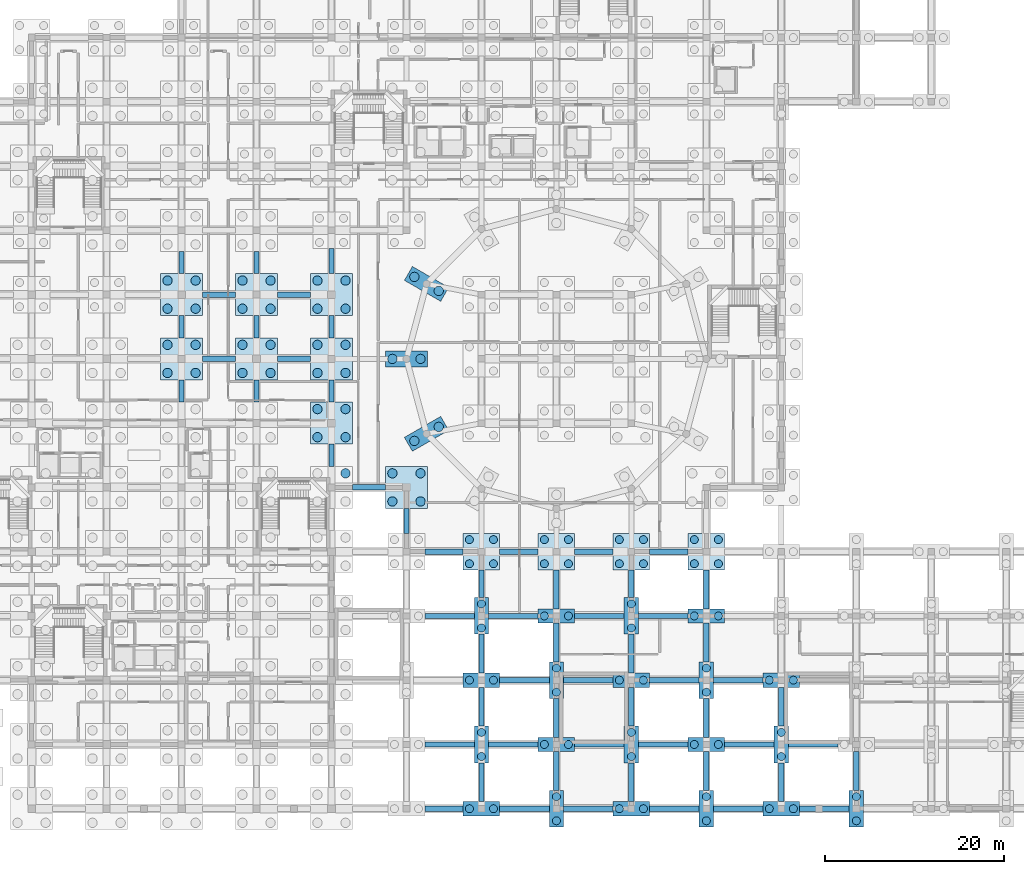
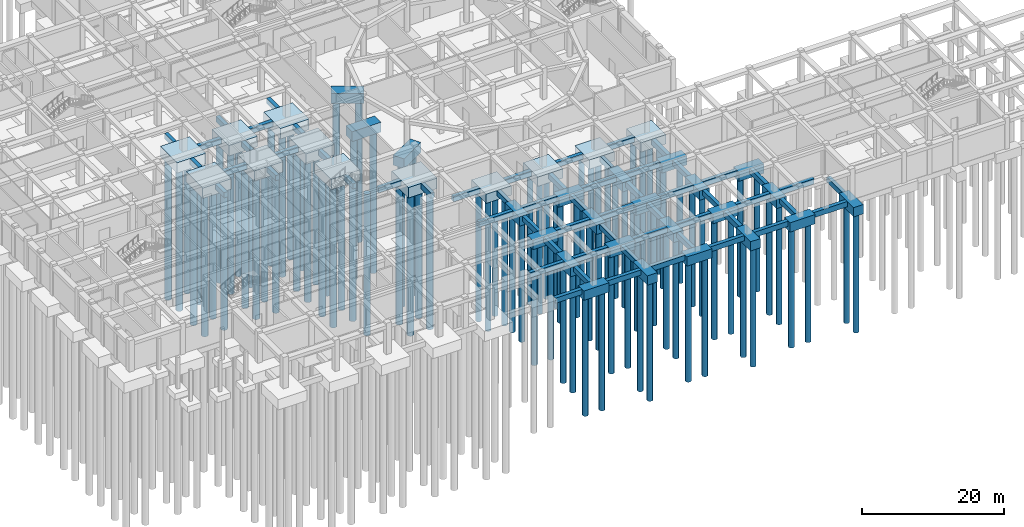
# One storey, part 3 of 32: 95 piles, 94 footings.
"""IFC4 building model written with IfcOpenShell, lengths in metres."""

from ifc_helpers import new_model, si_unit, derived_unit, direction, frame, origin, origin_2d, place, context, subcontext, project, spatial, rectangle, circle, extrude, material, material_profile, profile_set, type_object, element, save


model = new_model("IFC4")

# Units and contexts
model_context = context("Model", 3, precision=1e-05, world=origin(), true_north=direction((0.0, 1.0)))
body_context = subcontext(model_context, "Body", "Model", "MODEL_VIEW")
ifc_project = project(units=[si_unit("LENGTHUNIT", "METRE"), si_unit("AREAUNIT", "SQUARE_METRE"), si_unit("VOLUMEUNIT", "CUBIC_METRE"), si_unit("PLANEANGLEUNIT", "RADIAN"), si_unit("MASSUNIT", "GRAM", prefix="KILO"), derived_unit("THERMALTRANSMITTANCEUNIT", [(si_unit("POWERUNIT", "WATT"), 1), (si_unit("LENGTHUNIT", "METRE"), -2), (si_unit("THERMODYNAMICTEMPERATUREUNIT", "KELVIN"), -1)])], contexts=[model_context])

# Site, building, storey
site_placement = place(None, origin())
site = spatial("IfcSite", under=ifc_project, at=site_placement, CompositionType="ELEMENT")
building_placement = place(site_placement, origin())
building = spatial("IfcBuilding", under=site, at=building_placement, Name="Veybourne Emporium", CompositionType="ELEMENT")
storey_placement = place(building_placement, frame((0.0, 0.0, -5.39990234375)))
storey = spatial("IfcBuildingStorey", under=building, at=storey_placement, Name="B1", CompositionType="ELEMENT", Elevation=-5.39990234375)

# Footings
ifc_material = material(Name="Concrete C35/45", Category="concrete")
footing_type_1 = type_object("IfcFootingType", Name="GroundBeam_GB-2500", PredefinedType="FOOTING_BEAM", material=ifc_material)
for number, where, z_axis, x_axis, name in (
    (1, (33.60009765625, 46.800048828125, -0.900146484375), (0.0, 0.0, 1.0), (0.0, 1.0, 0.0), "Ground tie beam GB-2500"),
    (2, (33.60009765625, 54.0, -0.900146484375), (0.0, 0.0, 1.0), (0.0, 1.0, 0.0), "Ground tie beam GB-2500"),
    (3, (33.60009765625, 61.199951171875, -0.900146484375), (0.0, 0.0, 1.0), (0.0, 1.0, 0.0), "Ground tie beam GB-2500"),
    (4, (42.0, 46.800048828125, -0.900146484375), (0.0, 0.0, 1.0), (0.0, 1.0, 0.0), "Ground tie beam GB-2500"),
    (5, (42.0, 54.0, -0.900146484375), (0.0, 0.0, 1.0), (0.0, 1.0, 0.0), "Ground tie beam GB-2500"),
    (6, (42.0, 61.199951171875, -0.900146484375), (0.0, 0.0, 1.0), (0.0, 1.0, 0.0), "Ground tie beam GB-2500"),
    (7, (50.39990234375, 39.60009765625, -0.900146484375), (0.0, 0.0, 1.0), (0.0, 1.0, 0.0), "Ground tie beam GB-2500"),
    (8, (50.39990234375, 46.800048828125, -0.900146484375), (0.0, 0.0, 1.0), (0.0, 1.0, 0.0), "Ground tie beam GB-2500"),
    (9, (50.39990234375, 54.0, -0.900146484375), (0.0, 0.0, 1.0), (0.0, 1.0, 0.0), "Ground tie beam GB-2500"),
):
    element("IfcFooting", number, at=place(storey_placement, frame(where, z_axis=z_axis, x_axis=x_axis)), inside=storey, type_object=footing_type_1, Name=name, PredefinedType="FOOTING_BEAM", context=body_context, shape_type="SweptSolid", body=[
        extrude(rectangle(XDim=2.5, YDim=0.60009765625, at=origin_2d()), origin(), (0.0, 0.0, 1.0), 0.89990234375),
    ])
footing_type_2 = type_object("IfcFootingType", Name="GroundBeam_GB-2800", PredefinedType="FOOTING_BEAM", material=ifc_material)
for number, where, z_axis, x_axis, name in (
    (10, (50.39990234375, 61.35009765625, -0.900146484375), (0.0, 0.0, 1.0), (0.0, 1.0, 0.0), "Ground tie beam GB-2800"),
    (11, (58.800048828125, 32.25, -0.900146484375), (0.0, 0.0, 1.0), (0.0, 1.0, 0.0), "Ground tie beam GB-2800"),
):
    element("IfcFooting", number, at=place(storey_placement, frame(where, z_axis=z_axis, x_axis=x_axis)), inside=storey, type_object=footing_type_2, Name=name, PredefinedType="FOOTING_BEAM", context=body_context, shape_type="SweptSolid", body=[
        extrude(rectangle(XDim=2.800048828125, YDim=0.60009765625, at=origin_2d()), origin(), (0.0, 0.0, 1.0), 0.89990234375),
    ])
footing_type_3 = type_object("IfcFootingType", Name="GroundBeam_GB-3100", PredefinedType="FOOTING_BEAM", material=ifc_material)
for number, where, z_axis, x_axis, name in (
    (12, (67.199951171875, 25.199951171875, -0.900146484375), (0.0, 0.0, 1.0), (0.0, 1.0, 0.0), "Ground tie beam GB-3100"),
    (13, (84.0, 25.199951171875, -0.900146484375), (0.0, 0.0, 1.0), (0.0, 1.0, 0.0), "Ground tie beam GB-3100"),
):
    element("IfcFooting", number, at=place(storey_placement, frame(where, z_axis=z_axis, x_axis=x_axis)), inside=storey, type_object=footing_type_3, Name=name, PredefinedType="FOOTING_BEAM", context=body_context, shape_type="SweptSolid", body=[
        extrude(rectangle(XDim=3.10009765625, YDim=0.60009765625, at=origin_2d()), origin(), (0.0, 0.0, 1.0), 0.89990234375),
    ])
footing_type_4 = type_object("IfcFootingType", Name="GroundBeam_GB-3700", PredefinedType="FOOTING_BEAM", material=ifc_material)
for number, where, z_axis, x_axis, name in (
    (14, (37.800048828125, 50.39990234375, -0.900146484375), (0.0, 0.0, 1.0), (1.0, 0.0, 0.0), "Ground tie beam GB-3700"),
    (15, (37.800048828125, 57.60009765625, -0.900146484375), (0.0, 0.0, 1.0), (1.0, 0.0, 0.0), "Ground tie beam GB-3700"),
    (16, (46.199951171875, 50.39990234375, -0.900146484375), (0.0, 0.0, 1.0), (1.0, 0.0, 0.0), "Ground tie beam GB-3700"),
    (17, (46.199951171875, 57.60009765625, -0.900146484375), (0.0, 0.0, 1.0), (1.0, 0.0, 0.0), "Ground tie beam GB-3700"),
    (18, (54.60009765625, 36.0, -0.900146484375), (0.0, 0.0, 1.0), (1.0, 0.0, 0.0), "Ground tie beam GB-3700"),
):
    element("IfcFooting", number, at=place(storey_placement, frame(where, z_axis=z_axis, x_axis=x_axis)), inside=storey, type_object=footing_type_4, Name=name, PredefinedType="FOOTING_BEAM", context=body_context, shape_type="SweptSolid", body=[
        extrude(rectangle(XDim=3.699951171875, YDim=0.60009765625, at=origin_2d()), origin(), (0.0, 0.0, 1.0), 0.89990234375),
    ])
footing_type_5 = type_object("IfcFootingType", Name="GroundBeam_GB-4300", PredefinedType="FOOTING_BEAM", material=ifc_material)
for number, where, z_axis, x_axis, name in (
    (19, (63.0, 0.0, -0.900146484375), (0.0, 0.0, 1.0), (1.0, 0.0, 0.0), "Ground tie beam GB-4300"),
    (20, (63.0, 28.800048828125, -0.900146484375), (0.0, 0.0, 1.0), (1.0, 0.0, 0.0), "Ground tie beam GB-4300"),
    (21, (71.39990234375, 28.800048828125, -0.900146484375), (0.0, 0.0, 1.0), (1.0, 0.0, 0.0), "Ground tie beam GB-4300"),
    (22, (79.800048828125, 28.800048828125, -0.900146484375), (0.0, 0.0, 1.0), (1.0, 0.0, 0.0), "Ground tie beam GB-4300"),
    (23, (88.199951171875, 28.800048828125, -0.900146484375), (0.0, 0.0, 1.0), (1.0, 0.0, 0.0), "Ground tie beam GB-4300"),
):
    element("IfcFooting", number, at=place(storey_placement, frame(where, z_axis=z_axis, x_axis=x_axis)), inside=storey, type_object=footing_type_5, Name=name, PredefinedType="FOOTING_BEAM", context=body_context, shape_type="SweptSolid", body=[
        extrude(rectangle(XDim=4.300048828125, YDim=0.60009765625, at=origin_2d()), origin(), (0.0, 0.0, 1.0), 0.89990234375),
    ])
footing_type_6 = type_object("IfcFootingType", Name="GroundBeam_GB-4350", PredefinedType="FOOTING_BEAM", material=ifc_material)
for number, where, z_axis, x_axis, name in (
    (24, (67.199951171875, 2.97509765625, -0.900146484375), (0.0, 0.0, 1.0), (0.0, 1.0, 0.0), "Ground tie beam GB-4350"),
    (25, (67.199951171875, 11.425048828125, -0.900146484375), (0.0, 0.0, 1.0), (0.0, 1.0, 0.0), "Ground tie beam GB-4350"),
    (26, (67.199951171875, 17.375, -0.900146484375), (0.0, 0.0, 1.0), (0.0, 1.0, 0.0), "Ground tie beam GB-4350"),
    (27, (75.60009765625, 4.22509765625, -0.900146484375), (0.0, 0.0, 1.0), (0.0, 1.0, 0.0), "Ground tie beam GB-4350"),
    (28, (75.60009765625, 10.175048828125, -0.900146484375), (0.0, 0.0, 1.0), (0.0, 1.0, 0.0), "Ground tie beam GB-4350"),
    (29, (75.60009765625, 18.625, -0.900146484375), (0.0, 0.0, 1.0), (0.0, 1.0, 0.0), "Ground tie beam GB-4350"),
    (30, (75.60009765625, 24.574951171875, -0.900146484375), (0.0, 0.0, 1.0), (0.0, 1.0, 0.0), "Ground tie beam GB-4350"),
    (31, (84.0, 2.97509765625, -0.900146484375), (0.0, 0.0, 1.0), (0.0, 1.0, 0.0), "Ground tie beam GB-4350"),
    (32, (84.0, 11.425048828125, -0.900146484375), (0.0, 0.0, 1.0), (0.0, 1.0, 0.0), "Ground tie beam GB-4350"),
    (33, (84.0, 17.375, -0.900146484375), (0.0, 0.0, 1.0), (0.0, 1.0, 0.0), "Ground tie beam GB-4350"),
    (34, (92.39990234375, 4.22509765625, -0.900146484375), (0.0, 0.0, 1.0), (0.0, 1.0, 0.0), "Ground tie beam GB-4350"),
    (35, (92.39990234375, 10.175048828125, -0.900146484375), (0.0, 0.0, 1.0), (0.0, 1.0, 0.0), "Ground tie beam GB-4350"),
    (36, (92.39990234375, 18.625, -0.900146484375), (0.0, 0.0, 1.0), (0.0, 1.0, 0.0), "Ground tie beam GB-4350"),
    (37, (92.39990234375, 24.574951171875, -0.900146484375), (0.0, 0.0, 1.0), (0.0, 1.0, 0.0), "Ground tie beam GB-4350"),
    (38, (100.800048828125, 2.97509765625, -0.900146484375), (0.0, 0.0, 1.0), (0.0, 1.0, 0.0), "Ground tie beam GB-4350"),
    (39, (100.800048828125, 11.425048828125, -0.900146484375), (0.0, 0.0, 1.0), (0.0, 1.0, 0.0), "Ground tie beam GB-4350"),
    (40, (109.199951171875, 4.22509765625, -0.900146484375), (0.0, 0.0, 1.0), (0.0, 1.0, 0.0), "Ground tie beam GB-4350"),
):
    element("IfcFooting", number, at=place(storey_placement, frame(where, z_axis=z_axis, x_axis=x_axis)), inside=storey, type_object=footing_type_6, Name=name, PredefinedType="FOOTING_BEAM", context=body_context, shape_type="SweptSolid", body=[
        extrude(rectangle(XDim=4.35009765625, YDim=0.60009765625, at=origin_2d()), origin(), (0.0, 0.0, 1.0), 0.89990234375),
    ])
footing_type_7 = type_object("IfcFootingType", Name="GroundBeam_GB-5550", PredefinedType="FOOTING_BEAM", material=ifc_material)
for number, where, z_axis, x_axis, name in (
    (41, (63.625, 7.199951171875, -0.900146484375), (0.0, 0.0, 1.0), (1.0, 0.0, 0.0), "Ground tie beam GB-5550"),
    (42, (63.625, 21.60009765625, -0.900146484375), (0.0, 0.0, 1.0), (1.0, 0.0, 0.0), "Ground tie beam GB-5550"),
    (43, (72.02490234375, 0.0, -0.900146484375), (0.0, 0.0, 1.0), (1.0, 0.0, 0.0), "Ground tie beam GB-5550"),
    (44, (70.77490234375, 7.199951171875, -0.900146484375), (0.0, 0.0, 1.0), (1.0, 0.0, 0.0), "Ground tie beam GB-5550"),
    (45, (72.02490234375, 14.39990234375, -0.900146484375), (0.0, 0.0, 1.0), (1.0, 0.0, 0.0), "Ground tie beam GB-5550"),
    (46, (70.77490234375, 21.60009765625, -0.900146484375), (0.0, 0.0, 1.0), (1.0, 0.0, 0.0), "Ground tie beam GB-5550"),
    (47, (79.175048828125, 0.0, -0.900146484375), (0.0, 0.0, 1.0), (1.0, 0.0, 0.0), "Ground tie beam GB-5550"),
    (48, (80.425048828125, 7.199951171875, -0.900146484375), (0.0, 0.0, 1.0), (1.0, 0.0, 0.0), "Ground tie beam GB-5550"),
    (49, (79.175048828125, 14.39990234375, -0.900146484375), (0.0, 0.0, 1.0), (1.0, 0.0, 0.0), "Ground tie beam GB-5550"),
    (50, (80.425048828125, 21.60009765625, -0.900146484375), (0.0, 0.0, 1.0), (1.0, 0.0, 0.0), "Ground tie beam GB-5550"),
    (51, (88.824951171875, 0.0, -0.900146484375), (0.0, 0.0, 1.0), (1.0, 0.0, 0.0), "Ground tie beam GB-5550"),
    (52, (87.574951171875, 7.199951171875, -0.900146484375), (0.0, 0.0, 1.0), (1.0, 0.0, 0.0), "Ground tie beam GB-5550"),
    (53, (88.824951171875, 14.39990234375, -0.900146484375), (0.0, 0.0, 1.0), (1.0, 0.0, 0.0), "Ground tie beam GB-5550"),
    (54, (87.574951171875, 21.60009765625, -0.900146484375), (0.0, 0.0, 1.0), (1.0, 0.0, 0.0), "Ground tie beam GB-5550"),
    (55, (95.97509765625, 0.0, -0.900146484375), (0.0, 0.0, 1.0), (1.0, 0.0, 0.0), "Ground tie beam GB-5550"),
    (56, (97.22509765625, 7.199951171875, -0.900146484375), (0.0, 0.0, 1.0), (1.0, 0.0, 0.0), "Ground tie beam GB-5550"),
    (57, (95.97509765625, 14.39990234375, -0.900146484375), (0.0, 0.0, 1.0), (1.0, 0.0, 0.0), "Ground tie beam GB-5550"),
    (58, (105.625, 0.0, -0.900146484375), (0.0, 0.0, 1.0), (1.0, 0.0, 0.0), "Ground tie beam GB-5550"),
    (59, (104.375, 7.199951171875, -0.900146484375), (0.0, 0.0, 1.0), (1.0, 0.0, 0.0), "Ground tie beam GB-5550"),
):
    element("IfcFooting", number, at=place(storey_placement, frame(where, z_axis=z_axis, x_axis=x_axis)), inside=storey, type_object=footing_type_7, Name=name, PredefinedType="FOOTING_BEAM", context=body_context, shape_type="SweptSolid", body=[
        extrude(rectangle(XDim=5.550048828125, YDim=0.60009765625, at=origin_2d()), origin(), (0.0, 0.0, 1.0), 0.89990234375),
    ])
footing_type_8 = type_object("IfcFootingType", Name="PileCap_PC-02", PredefinedType="PILE_CAP", material=ifc_material)
for number, where, z_axis, x_axis, name in (
    (60, (67.199951171875, 0.0, -1.60009765625), (0.0, 0.0, 1.0), (1.0, 0.0, 0.0), "Pile cap PC-02 at grid (8,0)"),
    (61, (67.199951171875, 14.39990234375, -1.60009765625), (0.0, 0.0, 1.0), (1.0, 0.0, 0.0), "Pile cap PC-02 at grid (8,2)"),
    (62, (75.60009765625, 7.199951171875, -1.60009765625), (0.0, 0.0, 1.0), (1.0, 0.0, 0.0), "Pile cap PC-02 at grid (9,1)"),
    (63, (75.60009765625, 21.60009765625, -1.60009765625), (0.0, 0.0, 1.0), (1.0, 0.0, 0.0), "Pile cap PC-02 at grid (9,3)"),
    (64, (84.0, 0.0, -1.60009765625), (0.0, 0.0, 1.0), (1.0, 0.0, 0.0), "Pile cap PC-02 at grid (10,0)"),
    (65, (84.0, 14.39990234375, -1.60009765625), (0.0, 0.0, 1.0), (1.0, 0.0, 0.0), "Pile cap PC-02 at grid (10,2)"),
    (66, (92.39990234375, 7.199951171875, -1.60009765625), (0.0, 0.0, 1.0), (1.0, 0.0, 0.0), "Pile cap PC-02 at grid (11,1)"),
    (67, (92.39990234375, 21.60009765625, -1.60009765625), (0.0, 0.0, 1.0), (1.0, 0.0, 0.0), "Pile cap PC-02 at grid (11,3)"),
    (68, (100.800048828125, 0.0, -1.60009765625), (0.0, 0.0, 1.0), (1.0, 0.0, 0.0), "Pile cap PC-02 at grid (12,0)"),
    (69, (100.800048828125, 14.39990234375, -1.60009765625), (0.0, 0.0, 1.0), (1.0, 0.0, 0.0), "Pile cap PC-02 at grid (12,2)"),
):
    element("IfcFooting", number, at=place(storey_placement, frame(where, z_axis=z_axis, x_axis=x_axis)), inside=storey, type_object=footing_type_8, Name=name, PredefinedType="PILE_CAP", context=body_context, shape_type="SweptSolid", body=[
        extrude(rectangle(XDim=4.10009765625, YDim=1.60009765625, at=origin_2d()), origin(), (0.0, 0.0, 1.0), 1.60009765625),
    ])
footing_type_9 = type_object("IfcFootingType", Name="PileCap_PC-03", PredefinedType="PILE_CAP", material=ifc_material)
for number, where, z_axis, x_axis, name in (
    (70, (67.199951171875, 7.199951171875, -1.60009765625), (0.0, 0.0, 1.0), (1.0, 0.0, 0.0), "Pile cap PC-03 at grid (8,1)"),
    (71, (67.199951171875, 21.60009765625, -1.60009765625), (0.0, 0.0, 1.0), (1.0, 0.0, 0.0), "Pile cap PC-03 at grid (8,3)"),
    (72, (75.60009765625, 0.0, -1.60009765625), (0.0, 0.0, 1.0), (1.0, 0.0, 0.0), "Pile cap PC-03 at grid (9,0)"),
    (73, (75.60009765625, 14.39990234375, -1.60009765625), (0.0, 0.0, 1.0), (1.0, 0.0, 0.0), "Pile cap PC-03 at grid (9,2)"),
    (74, (84.0, 7.199951171875, -1.60009765625), (0.0, 0.0, 1.0), (1.0, 0.0, 0.0), "Pile cap PC-03 at grid (10,1)"),
    (75, (84.0, 21.60009765625, -1.60009765625), (0.0, 0.0, 1.0), (1.0, 0.0, 0.0), "Pile cap PC-03 at grid (10,3)"),
    (76, (92.39990234375, 0.0, -1.60009765625), (0.0, 0.0, 1.0), (1.0, 0.0, 0.0), "Pile cap PC-03 at grid (11,0)"),
    (77, (92.39990234375, 14.39990234375, -1.60009765625), (0.0, 0.0, 1.0), (1.0, 0.0, 0.0), "Pile cap PC-03 at grid (11,2)"),
    (78, (100.800048828125, 7.199951171875, -1.60009765625), (0.0, 0.0, 1.0), (1.0, 0.0, 0.0), "Pile cap PC-03 at grid (12,1)"),
    (79, (109.199951171875, 0.0, -1.60009765625), (0.0, 0.0, 1.0), (1.0, 0.0, 0.0), "Pile cap PC-03 at grid (13,0)"),
):
    element("IfcFooting", number, at=place(storey_placement, frame(where, z_axis=z_axis, x_axis=x_axis)), inside=storey, type_object=footing_type_9, Name=name, PredefinedType="PILE_CAP", context=body_context, shape_type="SweptSolid", body=[
        extrude(rectangle(XDim=1.60009765625, YDim=4.10009765625, at=origin_2d()), origin(), (0.0, 0.0, 1.0), 1.60009765625),
    ])
footing_type_10 = type_object("IfcFootingType", Name="PileCap_PC-04", PredefinedType="PILE_CAP", material=ifc_material)
for number, where, z_axis, x_axis, name in (
    (80, (67.199951171875, 28.800048828125, -1.60009765625), (0.0, 0.0, 1.0), (1.0, 0.0, 0.0), "Pile cap PC-04 at grid (8,4)"),
    (81, (75.60009765625, 28.800048828125, -1.60009765625), (0.0, 0.0, 1.0), (1.0, 0.0, 0.0), "Pile cap PC-04 at grid (9,4)"),
    (82, (84.0, 28.800048828125, -1.60009765625), (0.0, 0.0, 1.0), (1.0, 0.0, 0.0), "Pile cap PC-04 at grid (10,4)"),
    (83, (92.39990234375, 28.800048828125, -1.60009765625), (0.0, 0.0, 1.0), (1.0, 0.0, 0.0), "Pile cap PC-04 at grid (11,4)"),
):
    element("IfcFooting", number, at=place(storey_placement, frame(where, z_axis=z_axis, x_axis=x_axis)), inside=storey, type_object=footing_type_10, Name=name, PredefinedType="PILE_CAP", context=body_context, shape_type="SweptSolid", body=[
        extrude(rectangle(XDim=4.10009765625, YDim=4.10009765625, at=origin_2d()), origin(), (0.0, 0.0, 1.0), 1.60009765625),
    ])
footing_type_11 = type_object("IfcFootingType", Name="PileCap_PC-05", PredefinedType="PILE_CAP", material=ifc_material)
for number, where, z_axis, x_axis, name in (
    (84, (33.60009765625, 50.39990234375, -1.80029296875), (0.0, 0.0, 1.0), (1.0, 0.0, 0.0), "Pile cap PC-05 at grid (4,7)"),
    (85, (33.60009765625, 57.60009765625, -1.80029296875), (0.0, 0.0, 1.0), (1.0, 0.0, 0.0), "Pile cap PC-05 at grid (4,8)"),
    (86, (42.0, 50.39990234375, -1.80029296875), (0.0, 0.0, 1.0), (1.0, 0.0, 0.0), "Pile cap PC-05 at grid (5,7)"),
    (87, (42.0, 57.60009765625, -1.80029296875), (0.0, 0.0, 1.0), (1.0, 0.0, 0.0), "Pile cap PC-05 at grid (5,8)"),
    (88, (50.39990234375, 43.199951171875, -1.80029296875), (0.0, 0.0, 1.0), (1.0, 0.0, 0.0), "Pile cap PC-05 at grid (6,6)"),
    (89, (50.39990234375, 50.39990234375, -1.80029296875), (0.0, 0.0, 1.0), (1.0, 0.0, 0.0), "Pile cap PC-05 at grid (6,7)"),
    (90, (50.39990234375, 57.60009765625, -1.80029296875), (0.0, 0.0, 1.0), (1.0, 0.0, 0.0), "Pile cap PC-05 at grid (6,8)"),
    (91, (58.800048828125, 36.0, -1.80029296875), (0.0, 0.0, 1.0), (1.0, 0.0, 0.0), "Pile cap PC-05 at grid (7,5)"),
):
    element("IfcFooting", number, at=place(storey_placement, frame(where, z_axis=z_axis, x_axis=x_axis)), inside=storey, type_object=footing_type_11, Name=name, PredefinedType="PILE_CAP", context=body_context, shape_type="SweptSolid", body=[
        extrude(rectangle(XDim=4.699951171875, YDim=4.699951171875, at=origin_2d()), origin(), (0.0, 0.0, 1.0), 1.800048828125),
    ])
footing_type_12 = type_object("IfcFootingType", Name="PileCap_PC-12", PredefinedType="PILE_CAP", material=ifc_material)
for number, where, z_axis, x_axis, name in (
    (92, (61.05078125, 58.800048828125, -1.7001953125), (0.0, 0.0, 1.0), (-0.866025403784, 0.5, 0.0), "Atrium drum pile cap 6"),
    (93, (58.800048828125, 50.39990234375, -1.7001953125), (0.0, 0.0, 1.0), (-1.0, 0.0, 0.0), "Atrium drum pile cap 7"),
    (94, (61.05078125, 42.0, -1.7001953125), (0.0, 0.0, 1.0), (-0.866025403784, -0.5, 0.0), "Atrium drum pile cap 8"),
):
    element("IfcFooting", number, at=place(storey_placement, frame(where, z_axis=z_axis, x_axis=x_axis)), inside=storey, type_object=footing_type_12, Name=name, PredefinedType="PILE_CAP", context=body_context, shape_type="SweptSolid", body=[
        extrude(rectangle(XDim=4.699951171875, YDim=1.800048828125, at=origin_2d()), origin(), (0.0, 0.0, 1.0), 1.699951171875),
    ])

# Piles
ifc_material_profile_1 = material_profile(ifc_material, circle(Radius=0.449951171875, at=origin_2d()), Name="BORED PILE 900")
ifc_profile_set_1 = profile_set([ifc_material_profile_1], Name="Concrete C35/45")
pile_type_1 = type_object("IfcPileType", Name="Pile_P-01", PredefinedType="BORED", material=ifc_profile_set_1)
for number, where, z_axis, x_axis, name in (
    (95, (65.85009765625, 27.449951171875, -1.4501953125), (0.0, 0.0, -1.0), (1.0, 0.0, 0.0), "Bored pile P-01-407"),
    (96, (68.550048828125, 27.449951171875, -1.4501953125), (0.0, 0.0, -1.0), (1.0, 0.0, 0.0), "Bored pile P-01-408"),
    (97, (65.85009765625, 30.14990234375, -1.4501953125), (0.0, 0.0, -1.0), (1.0, 0.0, 0.0), "Bored pile P-01-409"),
    (98, (68.550048828125, 30.14990234375, -1.4501953125), (0.0, 0.0, -1.0), (1.0, 0.0, 0.0), "Bored pile P-01-410"),
    (99, (74.25, 27.449951171875, -1.4501953125), (0.0, 0.0, -1.0), (1.0, 0.0, 0.0), "Bored pile P-01-455"),
    (100, (76.949951171875, 27.449951171875, -1.4501953125), (0.0, 0.0, -1.0), (1.0, 0.0, 0.0), "Bored pile P-01-456"),
    (101, (74.25, 30.14990234375, -1.4501953125), (0.0, 0.0, -1.0), (1.0, 0.0, 0.0), "Bored pile P-01-457"),
    (102, (76.949951171875, 30.14990234375, -1.4501953125), (0.0, 0.0, -1.0), (1.0, 0.0, 0.0), "Bored pile P-01-458"),
    (103, (82.64990234375, 27.449951171875, -1.4501953125), (0.0, 0.0, -1.0), (1.0, 0.0, 0.0), "Bored pile P-01-503"),
    (104, (85.35009765625, 27.449951171875, -1.4501953125), (0.0, 0.0, -1.0), (1.0, 0.0, 0.0), "Bored pile P-01-504"),
    (105, (82.64990234375, 30.14990234375, -1.4501953125), (0.0, 0.0, -1.0), (1.0, 0.0, 0.0), "Bored pile P-01-505"),
    (106, (85.35009765625, 30.14990234375, -1.4501953125), (0.0, 0.0, -1.0), (1.0, 0.0, 0.0), "Bored pile P-01-506"),
    (107, (91.050048828125, 27.449951171875, -1.4501953125), (0.0, 0.0, -1.0), (1.0, 0.0, 0.0), "Bored pile P-01-551"),
    (108, (93.75, 27.449951171875, -1.4501953125), (0.0, 0.0, -1.0), (1.0, 0.0, 0.0), "Bored pile P-01-552"),
    (109, (91.050048828125, 30.14990234375, -1.4501953125), (0.0, 0.0, -1.0), (1.0, 0.0, 0.0), "Bored pile P-01-553"),
    (110, (93.75, 30.14990234375, -1.4501953125), (0.0, 0.0, -1.0), (1.0, 0.0, 0.0), "Bored pile P-01-554"),
):
    element("IfcPile", number, at=place(storey_placement, frame(where, z_axis=z_axis, x_axis=x_axis)), inside=storey, type_object=pile_type_1, Name=name, PredefinedType="BORED", context=body_context, shape_type="SweptSolid", body=[
        extrude(circle(Radius=0.449951171875, at=origin_2d()), origin(), (0.0, 0.0, 1.0), 22.550048828125),
    ])
ifc_material_profile_2 = material_profile(ifc_material, circle(Radius=0.52490234375, at=origin_2d()), Name="BORED PILE 1050")
ifc_profile_set_2 = profile_set([ifc_material_profile_2], Name="Concrete C35/45")
pile_type_2 = type_object("IfcPileType", Name="Pile_P-02", PredefinedType="BORED", material=ifc_profile_set_2)
for number, where, z_axis, x_axis, name in (
    (111, (32.02490234375, 48.824951171875, -1.650146484375), (0.0, 0.0, -1.0), (1.0, 0.0, 0.0), "Bored pile P-02-197"),
    (112, (35.175048828125, 48.824951171875, -1.650146484375), (0.0, 0.0, -1.0), (1.0, 0.0, 0.0), "Bored pile P-02-198"),
    (113, (32.02490234375, 51.97509765625, -1.650146484375), (0.0, 0.0, -1.0), (1.0, 0.0, 0.0), "Bored pile P-02-199"),
    (114, (35.175048828125, 51.97509765625, -1.650146484375), (0.0, 0.0, -1.0), (1.0, 0.0, 0.0), "Bored pile P-02-200"),
    (115, (40.425048828125, 48.824951171875, -1.650146484375), (0.0, 0.0, -1.0), (1.0, 0.0, 0.0), "Bored pile P-02-257"),
    (116, (43.574951171875, 48.824951171875, -1.650146484375), (0.0, 0.0, -1.0), (1.0, 0.0, 0.0), "Bored pile P-02-258"),
    (117, (40.425048828125, 51.97509765625, -1.650146484375), (0.0, 0.0, -1.0), (1.0, 0.0, 0.0), "Bored pile P-02-259"),
    (118, (43.574951171875, 51.97509765625, -1.650146484375), (0.0, 0.0, -1.0), (1.0, 0.0, 0.0), "Bored pile P-02-260"),
    (119, (48.824951171875, 41.625, -1.650146484375), (0.0, 0.0, -1.0), (1.0, 0.0, 0.0), "Bored pile P-02-315"),
    (120, (51.97509765625, 41.625, -1.650146484375), (0.0, 0.0, -1.0), (1.0, 0.0, 0.0), "Bored pile P-02-316"),
    (121, (48.824951171875, 44.77490234375, -1.650146484375), (0.0, 0.0, -1.0), (1.0, 0.0, 0.0), "Bored pile P-02-317"),
    (122, (51.97509765625, 44.77490234375, -1.650146484375), (0.0, 0.0, -1.0), (1.0, 0.0, 0.0), "Bored pile P-02-318"),
    (123, (48.824951171875, 48.824951171875, -1.650146484375), (0.0, 0.0, -1.0), (1.0, 0.0, 0.0), "Bored pile P-02-319"),
    (124, (51.97509765625, 48.824951171875, -1.650146484375), (0.0, 0.0, -1.0), (1.0, 0.0, 0.0), "Bored pile P-02-320"),
    (125, (48.824951171875, 51.97509765625, -1.650146484375), (0.0, 0.0, -1.0), (1.0, 0.0, 0.0), "Bored pile P-02-321"),
    (126, (51.97509765625, 51.97509765625, -1.650146484375), (0.0, 0.0, -1.0), (1.0, 0.0, 0.0), "Bored pile P-02-322"),
    (127, (48.824951171875, 56.02490234375, -1.650146484375), (0.0, 0.0, -1.0), (1.0, 0.0, 0.0), "Bored pile P-02-323"),
    (128, (51.97509765625, 56.02490234375, -1.650146484375), (0.0, 0.0, -1.0), (1.0, 0.0, 0.0), "Bored pile P-02-324"),
    (129, (48.824951171875, 59.175048828125, -1.650146484375), (0.0, 0.0, -1.0), (1.0, 0.0, 0.0), "Bored pile P-02-325"),
    (130, (51.97509765625, 59.175048828125, -1.650146484375), (0.0, 0.0, -1.0), (1.0, 0.0, 0.0), "Bored pile P-02-326"),
    (131, (57.22509765625, 34.425048828125, -1.650146484375), (0.0, 0.0, -1.0), (1.0, 0.0, 0.0), "Bored pile P-02-367"),
    (132, (60.375, 34.425048828125, -1.650146484375), (0.0, 0.0, -1.0), (1.0, 0.0, 0.0), "Bored pile P-02-368"),
    (133, (57.22509765625, 37.574951171875, -1.650146484375), (0.0, 0.0, -1.0), (1.0, 0.0, 0.0), "Bored pile P-02-369"),
    (134, (60.375, 37.574951171875, -1.650146484375), (0.0, 0.0, -1.0), (1.0, 0.0, 0.0), "Bored pile P-02-370"),
):
    element("IfcPile", number, at=place(storey_placement, frame(where, z_axis=z_axis, x_axis=x_axis)), inside=storey, type_object=pile_type_2, Name=name, PredefinedType="BORED", context=body_context, shape_type="SweptSolid", body=[
        extrude(circle(Radius=0.52490234375, at=origin_2d()), origin(), (0.0, 0.0, 1.0), 24.35009765625),
    ])
for number, where, z_axis, x_axis, name in (
    (135, (62.414794921875, 58.012451171875, -1.550048828125), (0.0, 0.0, -1.0), (1.0, 0.0, 0.0), "Atrium drum bored pile 6.1"),
    (136, (59.686767578125, 59.58740234375, -1.550048828125), (0.0, 0.0, -1.0), (1.0, 0.0, 0.0), "Atrium drum bored pile 6.2"),
    (137, (60.375, 50.39990234375, -1.550048828125), (0.0, 0.0, -1.0), (1.0, 0.0, 0.0), "Atrium drum bored pile 7.1"),
    (138, (57.22509765625, 50.39990234375, -1.550048828125), (0.0, 0.0, -1.0), (1.0, 0.0, 0.0), "Atrium drum bored pile 7.2"),
    (139, (62.414794921875, 42.78759765625, -1.550048828125), (0.0, 0.0, -1.0), (1.0, 0.0, 0.0), "Atrium drum bored pile 8.1"),
    (140, (59.686767578125, 41.21240234375, -1.550048828125), (0.0, 0.0, -1.0), (1.0, 0.0, 0.0), "Atrium drum bored pile 8.2"),
):
    element("IfcPile", number, at=place(storey_placement, frame(where, z_axis=z_axis, x_axis=x_axis)), inside=storey, type_object=pile_type_2, Name=name, PredefinedType="BORED", context=body_context, shape_type="SweptSolid", body=[
        extrude(circle(Radius=0.52490234375, at=origin_2d()), origin(), (0.0, 0.0, 1.0), 24.449951171875),
    ])
ifc_material_profile_3 = material_profile(ifc_material, circle(Radius=0.449951171875, at=origin_2d()), Name="BORED PILE 900")
ifc_profile_set_3 = profile_set([ifc_material_profile_3], Name="Concrete C35/45")
pile_type_3 = type_object("IfcPileType", Name="Pile_P-03", PredefinedType="BORED", material=ifc_profile_set_3)
for number, where, z_axis, x_axis, name in (
    (141, (65.85009765625, 0.0, -1.4501953125), (0.0, 0.0, -1.0), (1.0, 0.0, 0.0), "Bored pile P-03-399"),
    (142, (68.550048828125, 0.0, -1.4501953125), (0.0, 0.0, -1.0), (1.0, 0.0, 0.0), "Bored pile P-03-400"),
    (143, (67.199951171875, 5.85009765625, -1.4501953125), (0.0, 0.0, -1.0), (1.0, 0.0, 0.0), "Bored pile P-03-401"),
    (144, (67.199951171875, 8.550048828125, -1.4501953125), (0.0, 0.0, -1.0), (1.0, 0.0, 0.0), "Bored pile P-03-402"),
    (145, (65.85009765625, 14.39990234375, -1.4501953125), (0.0, 0.0, -1.0), (1.0, 0.0, 0.0), "Bored pile P-03-403"),
    (146, (68.550048828125, 14.39990234375, -1.4501953125), (0.0, 0.0, -1.0), (1.0, 0.0, 0.0), "Bored pile P-03-404"),
    (147, (67.199951171875, 20.25, -1.4501953125), (0.0, 0.0, -1.0), (1.0, 0.0, 0.0), "Bored pile P-03-405"),
    (148, (67.199951171875, 22.949951171875, -1.4501953125), (0.0, 0.0, -1.0), (1.0, 0.0, 0.0), "Bored pile P-03-406"),
    (149, (75.60009765625, -1.35009765625, -1.4501953125), (0.0, 0.0, -1.0), (1.0, 0.0, 0.0), "Bored pile P-03-447"),
    (150, (75.60009765625, 1.35009765625, -1.4501953125), (0.0, 0.0, -1.0), (1.0, 0.0, 0.0), "Bored pile P-03-448"),
    (151, (74.25, 7.199951171875, -1.4501953125), (0.0, 0.0, -1.0), (1.0, 0.0, 0.0), "Bored pile P-03-449"),
    (152, (76.949951171875, 7.199951171875, -1.4501953125), (0.0, 0.0, -1.0), (1.0, 0.0, 0.0), "Bored pile P-03-450"),
    (153, (75.60009765625, 13.050048828125, -1.4501953125), (0.0, 0.0, -1.0), (1.0, 0.0, 0.0), "Bored pile P-03-451"),
    (154, (75.60009765625, 15.75, -1.4501953125), (0.0, 0.0, -1.0), (1.0, 0.0, 0.0), "Bored pile P-03-452"),
    (155, (74.25, 21.60009765625, -1.4501953125), (0.0, 0.0, -1.0), (1.0, 0.0, 0.0), "Bored pile P-03-453"),
    (156, (76.949951171875, 21.60009765625, -1.4501953125), (0.0, 0.0, -1.0), (1.0, 0.0, 0.0), "Bored pile P-03-454"),
    (157, (82.64990234375, 0.0, -1.4501953125), (0.0, 0.0, -1.0), (1.0, 0.0, 0.0), "Bored pile P-03-495"),
    (158, (85.35009765625, 0.0, -1.4501953125), (0.0, 0.0, -1.0), (1.0, 0.0, 0.0), "Bored pile P-03-496"),
    (159, (84.0, 5.85009765625, -1.4501953125), (0.0, 0.0, -1.0), (1.0, 0.0, 0.0), "Bored pile P-03-497"),
    (160, (84.0, 8.550048828125, -1.4501953125), (0.0, 0.0, -1.0), (1.0, 0.0, 0.0), "Bored pile P-03-498"),
    (161, (82.64990234375, 14.39990234375, -1.4501953125), (0.0, 0.0, -1.0), (1.0, 0.0, 0.0), "Bored pile P-03-499"),
    (162, (85.35009765625, 14.39990234375, -1.4501953125), (0.0, 0.0, -1.0), (1.0, 0.0, 0.0), "Bored pile P-03-500"),
    (163, (84.0, 20.25, -1.4501953125), (0.0, 0.0, -1.0), (1.0, 0.0, 0.0), "Bored pile P-03-501"),
    (164, (84.0, 22.949951171875, -1.4501953125), (0.0, 0.0, -1.0), (1.0, 0.0, 0.0), "Bored pile P-03-502"),
    (165, (92.39990234375, -1.35009765625, -1.4501953125), (0.0, 0.0, -1.0), (1.0, 0.0, 0.0), "Bored pile P-03-543"),
    (166, (92.39990234375, 1.35009765625, -1.4501953125), (0.0, 0.0, -1.0), (1.0, 0.0, 0.0), "Bored pile P-03-544"),
    (167, (91.050048828125, 7.199951171875, -1.4501953125), (0.0, 0.0, -1.0), (1.0, 0.0, 0.0), "Bored pile P-03-545"),
    (168, (93.75, 7.199951171875, -1.4501953125), (0.0, 0.0, -1.0), (1.0, 0.0, 0.0), "Bored pile P-03-546"),
    (169, (92.39990234375, 13.050048828125, -1.4501953125), (0.0, 0.0, -1.0), (1.0, 0.0, 0.0), "Bored pile P-03-547"),
    (170, (92.39990234375, 15.75, -1.4501953125), (0.0, 0.0, -1.0), (1.0, 0.0, 0.0), "Bored pile P-03-548"),
    (171, (91.050048828125, 21.60009765625, -1.4501953125), (0.0, 0.0, -1.0), (1.0, 0.0, 0.0), "Bored pile P-03-549"),
    (172, (93.75, 21.60009765625, -1.4501953125), (0.0, 0.0, -1.0), (1.0, 0.0, 0.0), "Bored pile P-03-550"),
    (173, (99.449951171875, 0.0, -1.4501953125), (0.0, 0.0, -1.0), (1.0, 0.0, 0.0), "Bored pile P-03-587"),
    (174, (102.14990234375, 0.0, -1.4501953125), (0.0, 0.0, -1.0), (1.0, 0.0, 0.0), "Bored pile P-03-588"),
    (175, (100.800048828125, 5.85009765625, -1.4501953125), (0.0, 0.0, -1.0), (1.0, 0.0, 0.0), "Bored pile P-03-589"),
    (176, (100.800048828125, 8.550048828125, -1.4501953125), (0.0, 0.0, -1.0), (1.0, 0.0, 0.0), "Bored pile P-03-590"),
    (177, (99.449951171875, 14.39990234375, -1.4501953125), (0.0, 0.0, -1.0), (1.0, 0.0, 0.0), "Bored pile P-03-591"),
    (178, (102.14990234375, 14.39990234375, -1.4501953125), (0.0, 0.0, -1.0), (1.0, 0.0, 0.0), "Bored pile P-03-592"),
    (179, (109.199951171875, -1.35009765625, -1.4501953125), (0.0, 0.0, -1.0), (1.0, 0.0, 0.0), "Bored pile P-03-633"),
    (180, (109.199951171875, 1.35009765625, -1.4501953125), (0.0, 0.0, -1.0), (1.0, 0.0, 0.0), "Bored pile P-03-634"),
):
    element("IfcPile", number, at=place(storey_placement, frame(where, z_axis=z_axis, x_axis=x_axis)), inside=storey, type_object=pile_type_3, Name=name, PredefinedType="BORED", context=body_context, shape_type="SweptSolid", body=[
        extrude(circle(Radius=0.449951171875, at=origin_2d()), origin(), (0.0, 0.0, 1.0), 20.550048828125),
    ])
ifc_material_profile_4 = material_profile(ifc_material, circle(Radius=0.52490234375, at=origin_2d()), Name="BORED PILE 1050")
ifc_profile_set_4 = profile_set([ifc_material_profile_4], Name="Concrete C35/45")
pile_type_4 = type_object("IfcPileType", Name="Pile_P-04", PredefinedType="BORED", material=ifc_profile_set_4)
for number, where, z_axis, x_axis, name in (
    (181, (32.02490234375, 56.02490234375, -1.650146484375), (0.0, 0.0, -1.0), (1.0, 0.0, 0.0), "Bored pile P-04-201"),
    (182, (35.175048828125, 56.02490234375, -1.650146484375), (0.0, 0.0, -1.0), (1.0, 0.0, 0.0), "Bored pile P-04-202"),
    (183, (32.02490234375, 59.175048828125, -1.650146484375), (0.0, 0.0, -1.0), (1.0, 0.0, 0.0), "Bored pile P-04-203"),
    (184, (35.175048828125, 59.175048828125, -1.650146484375), (0.0, 0.0, -1.0), (1.0, 0.0, 0.0), "Bored pile P-04-204"),
    (185, (40.425048828125, 56.02490234375, -1.650146484375), (0.0, 0.0, -1.0), (1.0, 0.0, 0.0), "Bored pile P-04-261"),
    (186, (43.574951171875, 56.02490234375, -1.650146484375), (0.0, 0.0, -1.0), (1.0, 0.0, 0.0), "Bored pile P-04-262"),
    (187, (40.425048828125, 59.175048828125, -1.650146484375), (0.0, 0.0, -1.0), (1.0, 0.0, 0.0), "Bored pile P-04-263"),
    (188, (43.574951171875, 59.175048828125, -1.650146484375), (0.0, 0.0, -1.0), (1.0, 0.0, 0.0), "Bored pile P-04-264"),
    (189, (51.97509765625, 37.574951171875, -1.650146484375), (0.0, 0.0, -1.0), (1.0, 0.0, 0.0), "Bored pile P-04-314"),
):
    element("IfcPile", number, at=place(storey_placement, frame(where, z_axis=z_axis, x_axis=x_axis)), inside=storey, type_object=pile_type_4, Name=name, PredefinedType="BORED", context=body_context, shape_type="SweptSolid", body=[
        extrude(circle(Radius=0.52490234375, at=origin_2d()), origin(), (0.0, 0.0, 1.0), 24.35009765625),
    ])

save(model, "model.ifc")
